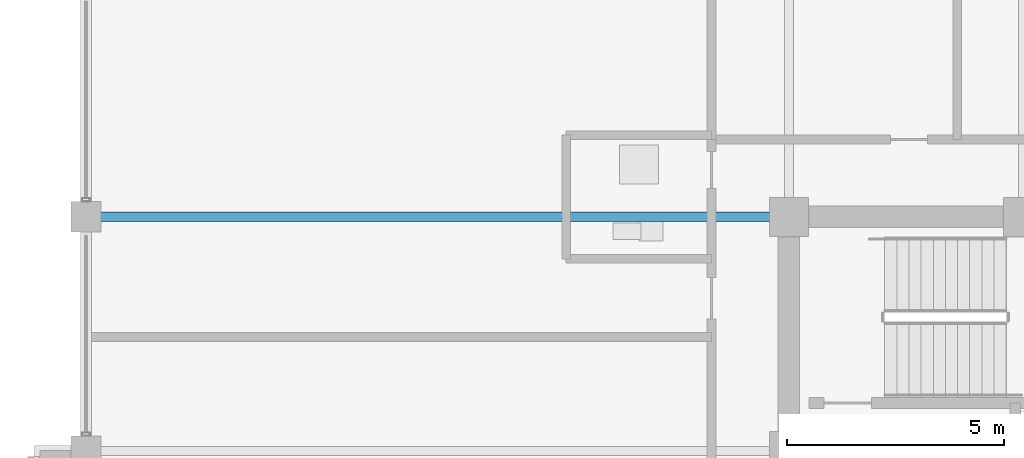
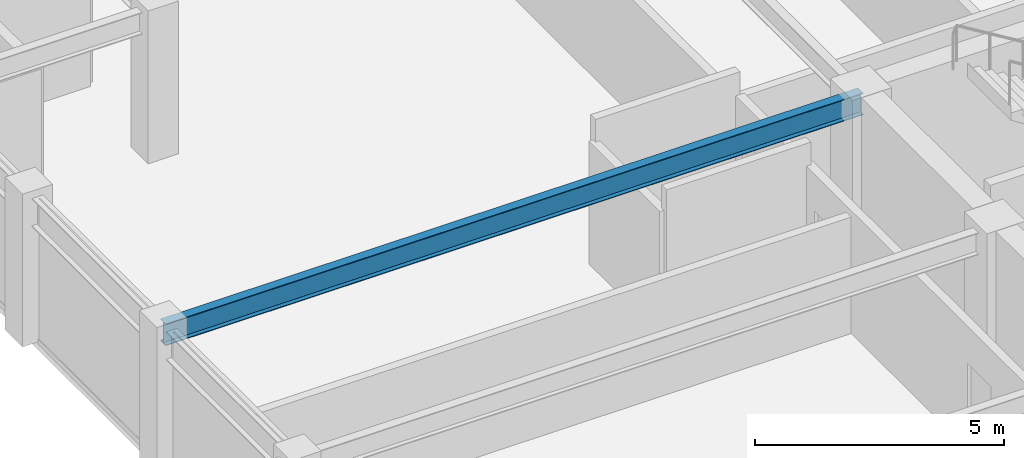
# One storey, part 13 of 29: 1 beam.
"""IFC4 building model written with IfcOpenShell, lengths in metres."""

from ifc_helpers import new_model, si_unit, direction, frame, origin, origin_2d, place, context, subcontext, project, spatial, i_section, extrude, material, material_profile, profile_set, type_object, element, save


model = new_model("IFC4")

# Units and contexts
model_context = context("Model", 3, precision=1e-05, world=origin(), true_north=direction((0.0, 1.0)))
body_context = subcontext(model_context, "Body", "Model", "MODEL_VIEW")
ifc_project = project(units=[si_unit("LENGTHUNIT", "METRE"), si_unit("AREAUNIT", "SQUARE_METRE"), si_unit("VOLUMEUNIT", "CUBIC_METRE"), si_unit("PLANEANGLEUNIT", "RADIAN"), si_unit("MASSUNIT", "GRAM", prefix="KILO")], contexts=[model_context])

# Site, building, storey
site_placement = place(None, origin())
site = spatial("IfcSite", under=ifc_project, at=site_placement, CompositionType="ELEMENT")
building_placement = place(site_placement, origin())
building = spatial("IfcBuilding", under=site, at=building_placement, Name="Surkhivell Harbour Commons", CompositionType="ELEMENT")
storey_placement = place(building_placement, frame((0.0, 0.0, 277.5)))
storey = spatial("IfcBuildingStorey", under=building, at=storey_placement, Name="L72", CompositionType="ELEMENT", Elevation=277.5)

# Beam
ifc_material = material(Name="Steel S355", Category="steel")
ifc_material_profile = material_profile(ifc_material, i_section(OverallWidth=0.2099609375, OverallDepth=0.537109375, WebThickness=0.0107421875, FlangeThickness=0.017333984375, at=origin_2d()), Name="UB533x210x101")
ifc_profile_set = profile_set([ifc_material_profile], Name="Steel S355")
beam_type = type_object("IfcBeamType", Name="BM-GRD-533B", PredefinedType="BEAM", material=ifc_profile_set)
beam_placement = place(storey_placement, frame((-27.0, 10.800048828125, 3.301513671875), z_axis=(1.0, 0.0, 0.0), x_axis=(0.0, 1.0, 0.0)))
element("IfcBeam", 1, at=beam_placement, inside=storey, type_object=beam_type, Name="L72 Floor Girder (-27.0,10.8)", PredefinedType="BEAM", context=body_context, shape_type="SweptSolid", body=[
    extrude(i_section(OverallWidth=0.2099609375, OverallDepth=0.537109375, WebThickness=0.0107421875, FlangeThickness=0.017333984375, at=origin_2d()), origin(), (0.0, 0.0, 1.0), 16.199951171875),
])

save(model, "model.ifc")
